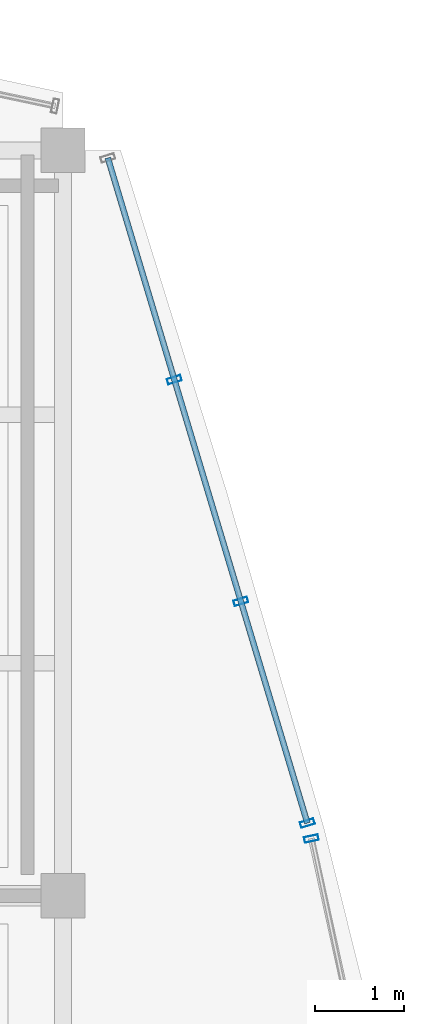
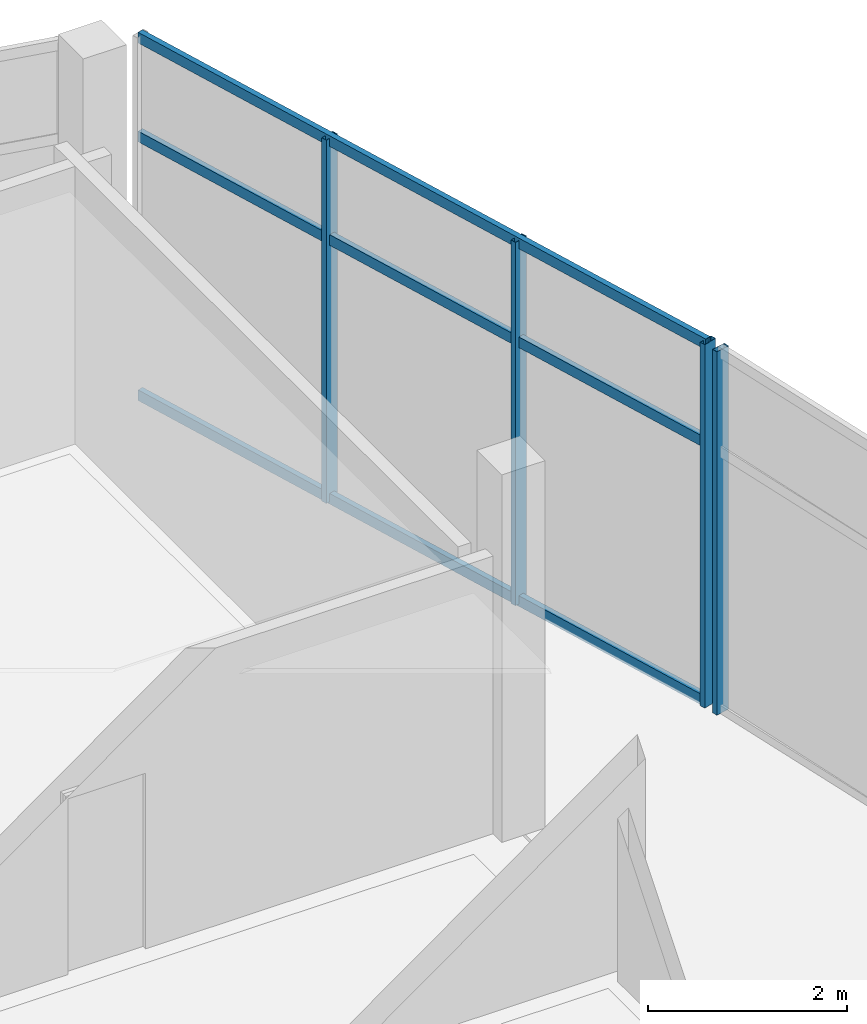
# One storey, part 77 of 114: 7 members, 2 elements without a shape of their own.
"""IFC4 building model written with IfcOpenShell, lengths in metres."""

import ifcopenshell
import ifcopenshell.guid

model = None  # the IFC model being written
_history = None  # IfcOwnerHistory: only IFC2X3 demands one
_inside = {}  # id of a spatial element -> (the spatial element, [elements in it])
_under = {}  # id of a project, library or spatial element -> (it, [spatial elements below it])
_declared = {}  # id of a project -> (the project, [libraries it declares])
_typed = {}  # id of a type object -> (the type object, [elements of that type])
_made_of = {}  # id of a material, layer set ... -> (it, [elements and type objects made of it])


def new_model(schema):
    """Start an empty IFC model of exactly this schema.

    Asked for "IFC4X3", IfcOpenShell would pick the latest addendum, in which some entities
    have other attributes; the version numbers below select the first issue.
    IFC2X3 requires an IfcOwnerHistory on every rooted entity: one is made here for all.
    """
    global model, _history
    if schema == "IFC4X3":
        model = ifcopenshell.file(schema_version=(4, 3, 0, 0))
    else:
        model = ifcopenshell.file(schema=schema)
    _inside.clear()
    _under.clear()
    _declared.clear()
    _typed.clear()
    _made_of.clear()
    _history = None
    if model.schema == "IFC2X3":
        org = make("IfcOrganization", Name="unknown")
        user = make(
            "IfcPersonAndOrganization",
            ThePerson=make("IfcPerson", FamilyName="unknown"),
            TheOrganization=org,
        )
        app = make(
            "IfcApplication",
            ApplicationDeveloper=org,
            Version="unknown",
            ApplicationFullName="unknown",
            ApplicationIdentifier="unknown",
        )
        _history = make(
            "IfcOwnerHistory",
            OwningUser=user,
            OwningApplication=app,
            ChangeAction="ADDED",
            CreationDate=0,
        )
    return model


def make(cls, **values):
    """One entity of the class cls with the attributes given. An attribute that is None is left unset."""
    return model.create_entity(
        cls, **{name: value for name, value in values.items() if value is not None}
    )


def rooted(cls, **values):
    """An entity with a GlobalId (a new one), such as an element, a storey or a relation."""
    return make(cls, GlobalId=ifcopenshell.guid.new(), OwnerHistory=_history, **values)


def si_unit(unit_type, name, prefix=None):
    """IfcSIUnit, for example si_unit("LENGTHUNIT", "METRE", prefix="MILLI")."""
    return make("IfcSIUnit", UnitType=unit_type, Prefix=prefix, Name=name)


def assignment(units):
    """IfcUnitAssignment: the units of a project."""
    return None if units is None else make("IfcUnitAssignment", Units=units)


def point(xyz):
    """IfcCartesianPoint."""
    return None if xyz is None else make("IfcCartesianPoint", Coordinates=xyz)


def direction(xyz):
    """IfcDirection."""
    return None if xyz is None else make("IfcDirection", DirectionRatios=xyz)


def frame(location, z_axis=None, x_axis=None):
    """IfcAxis2Placement3D, a coordinate frame: its origin and axes. An axis left out is left unset."""
    return make(
        "IfcAxis2Placement3D",
        Location=point(location),
        Axis=direction(z_axis),
        RefDirection=direction(x_axis),
    )


def frame_2d(location, x_axis=None):
    """IfcAxis2Placement2D, a coordinate frame in the plane: its origin and x axis."""
    return make(
        "IfcAxis2Placement2D", Location=point(location), RefDirection=direction(x_axis)
    )


def origin():
    """The frame at (0, 0, 0) with its axes left unset."""
    return frame((0.0, 0.0, 0.0))


def origin_2d():
    """The frame at (0, 0) in the plane with its x axis left unset."""
    return frame_2d((0.0, 0.0))


def place(relative_to, where):
    """IfcLocalPlacement: puts the frame where relative to a parent placement (None: the world)."""
    return make(
        "IfcLocalPlacement", PlacementRelTo=relative_to, RelativePlacement=where
    )


def context(
    kind, dimensions, precision=None, world=None, true_north=None, identifier=None
):
    """IfcGeometricRepresentationContext, for example the 3D "Model" context."""
    return make(
        "IfcGeometricRepresentationContext",
        ContextIdentifier=identifier,
        ContextType=kind,
        CoordinateSpaceDimension=dimensions,
        Precision=precision,
        WorldCoordinateSystem=world,
        TrueNorth=true_north,
    )


def subcontext(parent, identifier, kind, view, scale=None):
    """IfcGeometricRepresentationSubContext, for example "Body" below "Model"."""
    return make(
        "IfcGeometricRepresentationSubContext",
        ContextIdentifier=identifier,
        ContextType=kind,
        ParentContext=parent,
        TargetScale=scale,
        TargetView=view,
    )


def project(units=None, contexts=None):
    """IfcProject with its units and contexts."""
    return rooted(
        "IfcProject",
        Name="project",
        RepresentationContexts=contexts,
        UnitsInContext=assignment(units),
    )


def spatial(cls, under=None, at=None, **own):
    """A site, building, storey or space (cls), placed at a placement, below another one or the project."""
    s = rooted(cls, ObjectPlacement=at, **own)
    if under is not None:
        _under.setdefault(under.id(), (under, []))[1].append(s)
    return s


def profile(cls, at=None, kind="AREA", **sizes):
    """A parametric profile (cls). Its sizes go by their IFC names, for example OverallWidth=200.0."""
    return make(cls, ProfileType=kind, Position=at, **sizes)


def hollow_rectangle(**sizes):
    """IfcRectangleHollowProfileDef."""
    return profile("IfcRectangleHollowProfileDef", **sizes)


def extrude(swept, where, along, depth):
    """IfcExtrudedAreaSolid: the profile swept, set in the frame where, extruded along a direction by depth."""
    return make(
        "IfcExtrudedAreaSolid",
        SweptArea=swept,
        Position=where,
        ExtrudedDirection=direction(along),
        Depth=depth,
    )


def shape(context_of_items, identifier, shape_type, items):
    """IfcShapeRepresentation: the items that make up one representation, for example the "Body"."""
    return make(
        "IfcShapeRepresentation",
        ContextOfItems=context_of_items,
        RepresentationIdentifier=identifier,
        RepresentationType=shape_type,
        Items=items,
    )


def material(Name=None, Category=None):
    """IfcMaterial."""
    return make("IfcMaterial", Name=Name, Category=Category)


def layer(
    of_material, thickness, ventilated=None, Name=None, Category=None, Priority=None
):
    """IfcMaterialLayer: one layer of a wall or slab, of a material (None: an air gap)."""
    return make(
        "IfcMaterialLayer",
        Material=of_material,
        LayerThickness=thickness,
        IsVentilated=ventilated,
        Name=Name,
        Category=Category,
        Priority=Priority,
    )


def layer_set(layers, Name=None):
    """IfcMaterialLayerSet."""
    return make("IfcMaterialLayerSet", MaterialLayers=layers, LayerSetName=Name)


def material_profile(
    of_material, cross_section, Name=None, Category=None, Priority=None
):
    """IfcMaterialProfile: a cross section and its material."""
    return make(
        "IfcMaterialProfile",
        Name=Name,
        Material=of_material,
        Profile=cross_section,
        Priority=Priority,
        Category=Category,
    )


def profile_set(profiles, Name=None, composite=None):
    """IfcMaterialProfileSet."""
    return make(
        "IfcMaterialProfileSet",
        Name=Name,
        MaterialProfiles=profiles,
        CompositeProfile=composite,
    )


def made_of(thing, what):
    """Note that an element or type object is made of a material, layer set ...; save() writes the relation."""
    if what is not None:
        _made_of.setdefault(what.id(), (what, []))[1].append(thing)
    return thing


def type_object(cls, material=None, **own):
    """A type object (cls), such as IfcWallType, which elements share."""
    return made_of(rooted(cls, **own), material)


def element(
    cls,
    number,
    at=None,
    inside=None,
    cuts=None,
    type_object=None,
    material=None,
    context=None,
    identifier="Body",
    shape_type=None,
    held_by="IfcProductDefinitionShape",
    body=None,
    shapes=None,
    **own,
):
    """One element of the class cls, such as IfcWall. Its Tag is "e" and its number.

    at: its placement. inside: the storey or other place that contains it. cuts: it is an
    opening in that element (IfcRelVoidsElement). A single representation is given by context,
    identifier, shape_type and body (its items); several are given by shapes. held_by: the class
    of the entity that holds the representations. save() writes the other relations.
    """
    e = rooted(cls, Tag="e%d" % number, ObjectPlacement=at, **own)
    if body is not None:
        shapes = [shape(context, identifier, shape_type, body)]
    if shapes is not None:
        e.Representation = make(held_by, Representations=shapes)
    if inside is not None:
        _inside.setdefault(inside.id(), (inside, []))[1].append(e)
    if cuts is not None:
        rooted(
            "IfcRelVoidsElement", RelatingBuildingElement=cuts, RelatedOpeningElement=e
        )
    if type_object is not None:
        _typed.setdefault(type_object.id(), (type_object, []))[1].append(e)
    return made_of(e, material)


def aggregate(whole, parts):
    """IfcRelAggregates: a whole, such as a stair, and the parts it consists of."""
    return rooted("IfcRelAggregates", RelatingObject=whole, RelatedObjects=parts)


def save(model, path):
    """Write the relations noted so far, then the file.

    IfcRelAggregates (storeys below a building ...), IfcRelContainedInSpatialStructure (elements
    in a storey), IfcRelDefinesByType, IfcRelAssociatesMaterial and IfcRelDeclares: one each for
    every whole, place, type object, material and project.
    """
    for whole, parts in _under.values():
        aggregate(whole, parts)
    for where, things in _inside.values():
        rooted(
            "IfcRelContainedInSpatialStructure",
            RelatedElements=things,
            RelatingStructure=where,
        )
    for kind, things in _typed.values():
        rooted("IfcRelDefinesByType", RelatedObjects=things, RelatingType=kind)
    for what, things in _made_of.values():
        rooted("IfcRelAssociatesMaterial", RelatedObjects=things, RelatingMaterial=what)
    for by, libraries in _declared.values():
        rooted("IfcRelDeclares", RelatingContext=by, RelatedDefinitions=libraries)
    model.write(path)


model = new_model("IFC4")

# Units and contexts
model_context = context("Model", 3, precision=1e-05, world=origin(), true_north=direction((0.0, 1.0)))
body_context = subcontext(model_context, "Body", "Model", "MODEL_VIEW")
ifc_project = project(units=[si_unit("LENGTHUNIT", "METRE"), si_unit("AREAUNIT", "SQUARE_METRE"), si_unit("VOLUMEUNIT", "CUBIC_METRE"), si_unit("PLANEANGLEUNIT", "RADIAN"), si_unit("MASSUNIT", "GRAM", prefix="KILO")], contexts=[model_context])

# Site, building, storey
site_placement = place(None, origin())
site = spatial("IfcSite", under=ifc_project, at=site_placement, CompositionType="ELEMENT")
building_placement = place(site_placement, origin())
building = spatial("IfcBuilding", under=site, at=building_placement, Name="Chalmorin Arch Market", CompositionType="ELEMENT")
storey_placement = place(building_placement, frame((0.0, 0.0, 9.60009765625)))
storey = spatial("IfcBuildingStorey", under=building, at=storey_placement, Name="L02", CompositionType="ELEMENT", Elevation=9.60009765625)

# Curtain wall, member
ifc_material = material(Name="Aluminium 6063-T6", Category="aluminium")
ifc_layer_1 = layer(ifc_material, 0.159912109375)
ifc_layer_set_1 = layer_set([ifc_layer_1], Name="Aluminium 6063-T6")
curtain_wall_type_1 = type_object("IfcCurtainWallType", Name="CulinaryStudioCurtainWall-CW3-7670x4450", PredefinedType="NOTDEFINED", material=ifc_layer_set_1)
curtain_wall_1_placement = place(storey_placement, origin())
curtain_wall_1 = element("IfcCurtainWall", 1, at=curtain_wall_1_placement, inside=storey, type_object=curtain_wall_type_1, Name="CW-03-188", PredefinedType="NOTDEFINED")
ifc_material_profile_1 = material_profile(ifc_material, hollow_rectangle(XDim=0.06494140625, YDim=0.159912109375, WallThickness=0.00390625, at=origin_2d()), Name="ALU65X160X4")
ifc_profile_set_1 = profile_set([ifc_material_profile_1], Name="Aluminium 6063-T6")
member_type_1 = type_object("IfcMemberType", Name="CurtainWallMullion-65x160", PredefinedType="MULLION", material=ifc_profile_set_1)
member_1_placement = place(storey_placement, frame((117.999267578125, 110.2451171875, 0.0), z_axis=(0.0, 0.0, 1.0), x_axis=(-0.207911690818, 0.978147600734, 0.0)))
member_1 = element("IfcMember", 2, at=member_1_placement, type_object=member_type_1, Name="ML-188-04", PredefinedType="MULLION", context=body_context, shape_type="SweptSolid", body=[
    extrude(hollow_rectangle(XDim=0.06494140625, YDim=0.159912109375, WallThickness=0.00390625, at=origin_2d()), origin(), (0.0, 0.0, 1.0), 4.449951171875),
])
aggregate(curtain_wall_1, [member_1])

# Curtain wall, members
ifc_layer_2 = layer(ifc_material, 0.159912109375)
ifc_layer_set_2 = layer_set([ifc_layer_2], Name="Aluminium 6063-T6")
curtain_wall_type_2 = type_object("IfcCurtainWallType", Name="CulinaryStudioCurtainWall-CW3-7820x4450", PredefinedType="NOTDEFINED", material=ifc_layer_set_2)
curtain_wall_2_placement = place(storey_placement, origin())
curtain_wall_2 = element("IfcCurtainWall", 3, at=curtain_wall_2_placement, inside=storey, type_object=curtain_wall_type_2, Name="CW-03-190", PredefinedType="NOTDEFINED")
member_2_placement = place(storey_placement, frame((117.9541015625, 110.419189453125, 0.0), z_axis=(0.0, 0.0, 1.0), x_axis=(-0.292371704723, 0.956304755963, 0.0)))
member_2 = element("IfcMember", 4, at=member_2_placement, type_object=member_type_1, Name="ML-190-01", PredefinedType="MULLION", context=body_context, shape_type="SweptSolid", body=[
    extrude(hollow_rectangle(XDim=0.06494140625, YDim=0.159912109375, WallThickness=0.00390625, at=origin_2d()), origin(), (0.0, 0.0, 1.0), 4.449951171875),
])
member_3_placement = place(storey_placement, frame((117.20458984375, 112.91748046875, 0.0), z_axis=(0.0, 0.0, 1.0), x_axis=(-0.292371704723, 0.956304755963, 0.0)))
member_3 = element("IfcMember", 5, at=member_3_placement, type_object=member_type_1, Name="ML-190-02", PredefinedType="MULLION", context=body_context, shape_type="SweptSolid", body=[
    extrude(hollow_rectangle(XDim=0.06494140625, YDim=0.159912109375, WallThickness=0.00390625, at=origin_2d()), origin(), (0.0, 0.0, 1.0), 4.449951171875),
])
member_4_placement = place(storey_placement, frame((116.455322265625, 115.41552734375, 0.0), z_axis=(0.0, 0.0, 1.0), x_axis=(-0.292371704723, 0.956304755963, 0.0)))
member_4 = element("IfcMember", 6, at=member_4_placement, type_object=member_type_1, Name="ML-190-03", PredefinedType="MULLION", context=body_context, shape_type="SweptSolid", body=[
    extrude(hollow_rectangle(XDim=0.06494140625, YDim=0.159912109375, WallThickness=0.00390625, at=origin_2d()), origin(), (0.0, 0.0, 1.0), 4.449951171875),
])
ifc_material_profile_2 = material_profile(ifc_material, hollow_rectangle(XDim=0.06494140625, YDim=0.1298828125, WallThickness=0.00390625, at=origin_2d()), Name="ALU65X130X4")
ifc_profile_set_2 = profile_set([ifc_material_profile_2], Name="Aluminium 6063-T6")
member_type_2 = type_object("IfcMemberType", Name="CurtainWallTransom-65x130", PredefinedType="USERDEFINED", material=ifc_profile_set_2)
member_5_placement = place(storey_placement, frame((117.9541015625, 110.419189453125, 0.034912109375), z_axis=(-0.287336435381, 0.957829720202, 0.0), x_axis=(-0.957829720202, -0.287336435381, 0.0)))
member_5 = element("IfcMember", 7, at=member_5_placement, type_object=member_type_2, Name="TR-190-01", ObjectType="TRANSOM", PredefinedType="USERDEFINED", context=body_context, shape_type="SweptSolid", body=[
    extrude(hollow_rectangle(XDim=0.06494140625, YDim=0.1298828125, WallThickness=0.00390625, at=origin_2d()), origin(), (0.0, 0.0, 1.0), 7.82470703125),
])
member_6_placement = place(storey_placement, frame((117.9541015625, 110.419189453125, 3.203857421875), z_axis=(-0.287336435381, 0.957829720202, 0.0), x_axis=(-0.957829720202, -0.287336435381, 0.0)))
member_6 = element("IfcMember", 8, at=member_6_placement, type_object=member_type_2, Name="TR-190-02", ObjectType="TRANSOM", PredefinedType="USERDEFINED", context=body_context, shape_type="SweptSolid", body=[
    extrude(hollow_rectangle(XDim=0.06494140625, YDim=0.1298828125, WallThickness=0.00390625, at=origin_2d()), origin(), (0.0, 0.0, 1.0), 7.82470703125),
])
member_7_placement = place(storey_placement, frame((117.9541015625, 110.419189453125, 4.414794921875), z_axis=(-0.287336435381, 0.957829720202, 0.0), x_axis=(-0.957829720202, -0.287336435381, 0.0)))
member_7 = element("IfcMember", 9, at=member_7_placement, type_object=member_type_2, Name="TR-190-03", ObjectType="TRANSOM", PredefinedType="USERDEFINED", context=body_context, shape_type="SweptSolid", body=[
    extrude(hollow_rectangle(XDim=0.06494140625, YDim=0.1298828125, WallThickness=0.00390625, at=origin_2d()), origin(), (0.0, 0.0, 1.0), 7.82470703125),
])
aggregate(curtain_wall_2, [member_2, member_3, member_4, member_5, member_6, member_7])

save(model, "model.ifc")
